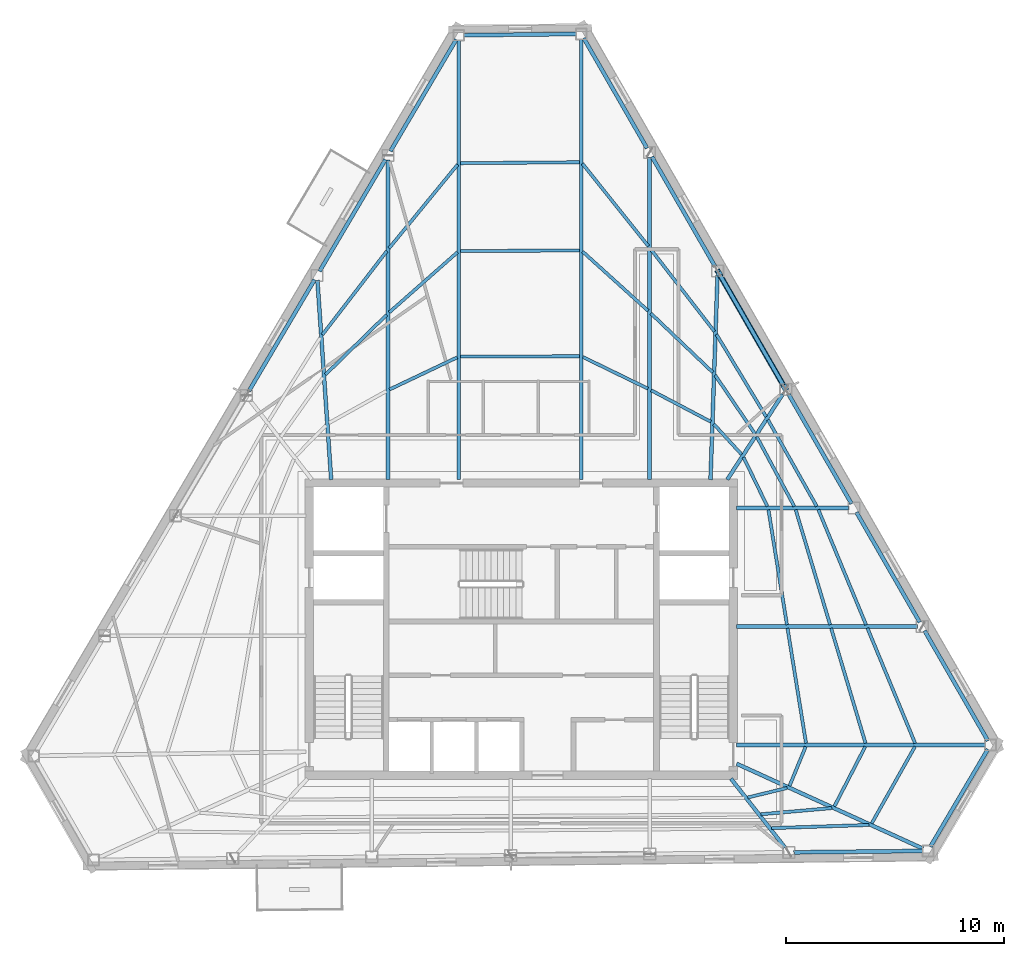
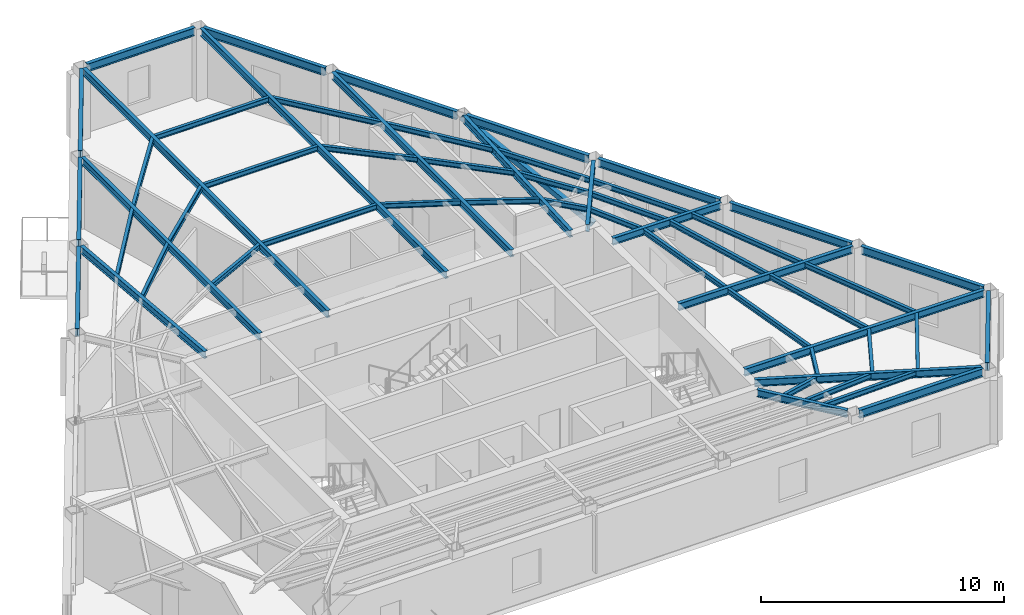
# One storey, part 2 of 11: 56 beams, 1 member.
"""IFC4 building model written with IfcOpenShell, lengths in metres."""

from ifc_helpers import new_model, si_unit, direction, frame, origin, origin_2d, place, context, subcontext, project, spatial, hollow_rectangle, i_section, extrude, material, material_profile, profile_set, type_object, element, save


model = new_model("IFC4")

# Units and contexts
model_context = context("Model", 3, precision=1e-05, world=origin(), true_north=direction((0.0, 1.0)))
body_context = subcontext(model_context, "Body", "Model", "MODEL_VIEW")
ifc_project = project(units=[si_unit("LENGTHUNIT", "METRE"), si_unit("AREAUNIT", "SQUARE_METRE"), si_unit("VOLUMEUNIT", "CUBIC_METRE"), si_unit("PLANEANGLEUNIT", "RADIAN"), si_unit("MASSUNIT", "GRAM", prefix="KILO")], contexts=[model_context])

# Site, building, storey
site_placement = place(None, origin())
site = spatial("IfcSite", under=ifc_project, at=site_placement, CompositionType="ELEMENT")
building_placement = place(site_placement, origin())
building = spatial("IfcBuilding", under=site, at=building_placement, Name="Kavelnor Concourse Tower", CompositionType="ELEMENT")
storey_placement = place(building_placement, frame((0.0, 0.0, 285.699951171875)))
storey = spatial("IfcBuildingStorey", under=building, at=storey_placement, Name="L72", CompositionType="ELEMENT", Elevation=285.699951171875)

# Beams
ifc_material = material(Name="Steel Grade 350", Category="steel")
ifc_material_profile_1 = material_profile(ifc_material, i_section(OverallWidth=0.14599609375, OverallDepth=0.256103515625, WebThickness=0.00634765625, FlangeThickness=0.010986328125, at=origin_2d()), Name="250UB37")
ifc_profile_set_1 = profile_set([ifc_material_profile_1], Name="Steel Grade 350")
beam_type_1 = type_object("IfcBeamType", Name="BM-JOIST-250", PredefinedType="JOIST", material=ifc_profile_set_1)
beam_1_placement = place(storey_placement, frame((48.37158203125, 8.388916015625, 3.48193359375), z_axis=(0.971921363988, 0.235305890753, 0.0), x_axis=(-0.235305890753, 0.971921363988, 0.0)))
element("IfcBeam", 1, at=beam_1_placement, inside=storey, type_object=beam_type_1, Name="L72 Secondary Composite Joist 08-1", PredefinedType="JOIST", context=body_context, shape_type="SweptSolid", body=[
    extrude(i_section(OverallWidth=0.14599609375, OverallDepth=0.256103515625, WebThickness=0.00634765625, FlangeThickness=0.010986328125, at=origin_2d()), origin(), (0.0, 0.0, 1.0), 1.85302734375),
])
beam_2_placement = place(storey_placement, frame((48.966796875, 7.62060546875, 3.48193359375), z_axis=(0.996227664555, 0.086778110001, 0.0), x_axis=(-0.086778110001, 0.996227664555, 0.0)))
element("IfcBeam", 2, at=beam_2_placement, inside=storey, type_object=beam_type_1, Name="L72 Secondary Composite Joist 08-2", PredefinedType="JOIST", context=body_context, shape_type="SweptSolid", body=[
    extrude(i_section(OverallWidth=0.14599609375, OverallDepth=0.256103515625, WebThickness=0.00634765625, FlangeThickness=0.010986328125, at=origin_2d()), origin(), (0.0, 0.0, 1.0), 3.263427734375),
])
beam_3_placement = place(storey_placement, frame((49.46142578125, 6.986083984375, 3.48193359375), z_axis=(0.999475899533, 0.032371689054, 0.0), x_axis=(-0.032371689054, 0.999475899533, 0.0)))
element("IfcBeam", 3, at=beam_3_placement, inside=storey, type_object=beam_type_1, Name="L72 Secondary Composite Joist 08-3", PredefinedType="JOIST", context=body_context, shape_type="SweptSolid", body=[
    extrude(i_section(OverallWidth=0.14599609375, OverallDepth=0.256103515625, WebThickness=0.00634765625, FlangeThickness=0.010986328125, at=origin_2d()), origin(), (0.0, 0.0, 1.0), 4.46484375),
])
beam_4_placement = place(storey_placement, frame((50.283447265625, 8.920166015625, 3.48193359375), z_axis=(0.379680559512, 0.925117653452, 0.0), x_axis=(-0.925117653452, 0.379680559512, 0.0)))
element("IfcBeam", 4, at=beam_4_placement, inside=storey, type_object=beam_type_1, Name="L72 Secondary Composite Joist 09-1", PredefinedType="JOIST", context=body_context, shape_type="SweptSolid", body=[
    extrude(i_section(OverallWidth=0.14599609375, OverallDepth=0.256103515625, WebThickness=0.00634765625, FlangeThickness=0.010986328125, at=origin_2d()), origin(), (0.0, 0.0, 1.0), 1.941162109375),
])
beam_5_placement = place(storey_placement, frame((52.337158203125, 7.98388671875, 3.48193359375), z_axis=(0.458818674055, 0.888529923153, 0.0), x_axis=(-0.888529923153, 0.458818674055, 0.0)))
element("IfcBeam", 5, at=beam_5_placement, inside=storey, type_object=beam_type_1, Name="L72 Secondary Composite Joist 09-2", PredefinedType="JOIST", context=body_context, shape_type="SweptSolid", body=[
    extrude(i_section(OverallWidth=0.14599609375, OverallDepth=0.256103515625, WebThickness=0.00634765625, FlangeThickness=0.010986328125, at=origin_2d()), origin(), (0.0, 0.0, 1.0), 3.078125),
])
beam_6_placement = place(storey_placement, frame((54.0458984375, 7.204833984375, 3.48193359375), z_axis=(0.49085861129, 0.871239245972, 0.0), x_axis=(-0.871239245972, 0.49085861129, 0.0)))
element("IfcBeam", 6, at=beam_6_placement, inside=storey, type_object=beam_type_1, Name="L72 Secondary Composite Joist 09-3", PredefinedType="JOIST", context=body_context, shape_type="SweptSolid", body=[
    extrude(i_section(OverallWidth=0.14599609375, OverallDepth=0.256103515625, WebThickness=0.00634765625, FlangeThickness=0.010986328125, at=origin_2d()), origin(), (0.0, 0.0, 1.0), 4.03515625),
])
beam_7_placement = place(storey_placement, frame((51.03857421875, 10.872802734375, 3.48193359375), z_axis=(-0.159043878678, 0.987271515164, 0.0), x_axis=(-0.987271515164, -0.159043878678, 0.0)))
element("IfcBeam", 7, at=beam_7_placement, inside=storey, type_object=beam_type_1, Name="L72 Secondary Composite Joist 10-1", PredefinedType="JOIST", context=body_context, shape_type="SweptSolid", body=[
    extrude(i_section(OverallWidth=0.14599609375, OverallDepth=0.256103515625, WebThickness=0.00634765625, FlangeThickness=0.010986328125, at=origin_2d()), origin(), (0.0, 0.0, 1.0), 5.332763671875),
])
beam_8_placement = place(storey_placement, frame((53.763671875, 10.87060546875, 3.48193359375), z_axis=(-0.286565917677, 0.958060527747, 0.0), x_axis=(-0.958060527747, -0.286565917677, 0.0)))
element("IfcBeam", 8, at=beam_8_placement, inside=storey, type_object=beam_type_1, Name="L72 Secondary Composite Joist 10-2", PredefinedType="JOIST", context=body_context, shape_type="SweptSolid", body=[
    extrude(i_section(OverallWidth=0.14599609375, OverallDepth=0.256103515625, WebThickness=0.00634765625, FlangeThickness=0.010986328125, at=origin_2d()), origin(), (0.0, 0.0, 1.0), 5.500244140625),
])
beam_9_placement = place(storey_placement, frame((56.035400390625, 10.86767578125, 3.48193359375), z_axis=(-0.382650130646, 0.923893325832, 0.0), x_axis=(-0.923893325832, -0.382650130646, 0.0)))
element("IfcBeam", 9, at=beam_9_placement, inside=storey, type_object=beam_type_1, Name="L72 Secondary Composite Joist 10-3", PredefinedType="JOIST", context=body_context, shape_type="SweptSolid", body=[
    extrude(i_section(OverallWidth=0.14599609375, OverallDepth=0.256103515625, WebThickness=0.00634765625, FlangeThickness=0.010986328125, at=origin_2d()), origin(), (0.0, 0.0, 1.0), 5.709716796875),
])
beam_10_placement = place(storey_placement, frame((50.164306640625, 16.2998046875, 3.48193359375), z_axis=(-0.158999255026, 0.987278702749, 0.0), x_axis=(-0.987278702749, -0.158999255026, 0.0)))
element("IfcBeam", 10, at=beam_10_placement, inside=storey, type_object=beam_type_1, Name="L72 Secondary Composite Joist 11-1", PredefinedType="JOIST", context=body_context, shape_type="SweptSolid", body=[
    extrude(i_section(OverallWidth=0.14599609375, OverallDepth=0.256103515625, WebThickness=0.00634765625, FlangeThickness=0.010986328125, at=origin_2d()), origin(), (0.0, 0.0, 1.0), 5.332763671875),
])
beam_11_placement = place(storey_placement, frame((52.140380859375, 16.29736328125, 3.48193359375), z_axis=(-0.286606659328, 0.958048340549, 0.0), x_axis=(-0.958048340549, -0.286606659328, 0.0)))
element("IfcBeam", 11, at=beam_11_placement, inside=storey, type_object=beam_type_1, Name="L72 Secondary Composite Joist 11-2", PredefinedType="JOIST", context=body_context, shape_type="SweptSolid", body=[
    extrude(i_section(OverallWidth=0.14599609375, OverallDepth=0.256103515625, WebThickness=0.00634765625, FlangeThickness=0.010986328125, at=origin_2d()), origin(), (0.0, 0.0, 1.0), 5.500244140625),
])
beam_12_placement = place(storey_placement, frame((53.787841796875, 16.29443359375, 3.48193359375), z_axis=(-0.38267151102, 0.923884470404, 0.0), x_axis=(-0.923884470404, -0.38267151102, 0.0)))
element("IfcBeam", 12, at=beam_12_placement, inside=storey, type_object=beam_type_1, Name="L72 Secondary Composite Joist 11-3", PredefinedType="JOIST", context=body_context, shape_type="SweptSolid", body=[
    extrude(i_section(OverallWidth=0.14599609375, OverallDepth=0.256103515625, WebThickness=0.00634765625, FlangeThickness=0.010986328125, at=origin_2d()), origin(), (0.0, 0.0, 1.0), 5.7099609375),
])
beam_13_placement = place(storey_placement, frame((49.267578125, 21.71923828125, 3.48193359375), z_axis=(-0.437132281775, 0.89939722494, 0.0), x_axis=(-0.89939722494, -0.437132281775, 0.0)))
element("IfcBeam", 13, at=beam_13_placement, inside=storey, type_object=beam_type_1, Name="L72 Secondary Composite Joist 12-1", PredefinedType="JOIST", context=body_context, shape_type="SweptSolid", body=[
    extrude(i_section(OverallWidth=0.14599609375, OverallDepth=0.256103515625, WebThickness=0.00634765625, FlangeThickness=0.010986328125, at=origin_2d()), origin(), (0.0, 0.0, 1.0), 2.49658203125),
])
beam_14_placement = place(storey_placement, frame((50.501708984375, 21.7177734375, 3.48193359375), z_axis=(-0.473987096176, 0.880531789692, 0.0), x_axis=(-0.880531789692, -0.473987096176, 0.0)))
element("IfcBeam", 14, at=beam_14_placement, inside=storey, type_object=beam_type_1, Name="L72 Secondary Composite Joist 12-2", PredefinedType="JOIST", context=body_context, shape_type="SweptSolid", body=[
    extrude(i_section(OverallWidth=0.14599609375, OverallDepth=0.256103515625, WebThickness=0.00634765625, FlangeThickness=0.010986328125, at=origin_2d()), origin(), (0.0, 0.0, 1.0), 3.616455078125),
])
beam_15_placement = place(storey_placement, frame((51.53125, 21.717041015625, 3.48193359375), z_axis=(-0.491007143043, 0.871155546089, 0.0), x_axis=(-0.871155546089, -0.491007143043, 0.0)))
element("IfcBeam", 15, at=beam_15_placement, inside=storey, type_object=beam_type_1, Name="L72 Secondary Composite Joist 12-3", PredefinedType="JOIST", context=body_context, shape_type="SweptSolid", body=[
    extrude(i_section(OverallWidth=0.14599609375, OverallDepth=0.256103515625, WebThickness=0.00634765625, FlangeThickness=0.010986328125, at=origin_2d()), origin(), (0.0, 0.0, 1.0), 4.552001953125),
])
beam_16_placement = place(storey_placement, frame((48.0849609375, 24.098876953125, 3.48193359375), z_axis=(-0.675116595913, 0.737711042294, 0.0), x_axis=(-0.737711042294, -0.675116595913, 0.0)))
element("IfcBeam", 16, at=beam_16_placement, inside=storey, type_object=beam_type_1, Name="L72 Secondary Composite Joist 13-1", PredefinedType="JOIST", context=body_context, shape_type="SweptSolid", body=[
    extrude(i_section(OverallWidth=0.14599609375, OverallDepth=0.256103515625, WebThickness=0.00634765625, FlangeThickness=0.010986328125, at=origin_2d()), origin(), (0.0, 0.0, 1.0), 1.8916015625),
])
beam_17_placement = place(storey_placement, frame((48.70263671875, 25.0419921875, 3.48193359375), z_axis=(-0.562375790959, 0.826881774949, 0.0), x_axis=(-0.826881774949, -0.562375790959, 0.0)))
element("IfcBeam", 17, at=beam_17_placement, inside=storey, type_object=beam_type_1, Name="L72 Secondary Composite Joist 13-2", PredefinedType="JOIST", context=body_context, shape_type="SweptSolid", body=[
    extrude(i_section(OverallWidth=0.14599609375, OverallDepth=0.256103515625, WebThickness=0.00634765625, FlangeThickness=0.010986328125, at=origin_2d()), origin(), (0.0, 0.0, 1.0), 3.2490234375),
])
beam_18_placement = place(storey_placement, frame((49.213623046875, 25.82421875, 3.48193359375), z_axis=(-0.517118177952, 0.85591400855, 0.0), x_axis=(-0.85591400855, -0.517118177952, 0.0)))
element("IfcBeam", 18, at=beam_18_placement, inside=storey, type_object=beam_type_1, Name="L72 Secondary Composite Joist 13-3", PredefinedType="JOIST", context=body_context, shape_type="SweptSolid", body=[
    extrude(i_section(OverallWidth=0.14599609375, OverallDepth=0.256103515625, WebThickness=0.00634765625, FlangeThickness=0.010986328125, at=origin_2d()), origin(), (0.0, 0.0, 1.0), 4.404296875),
])
beam_19_placement = place(storey_placement, frame((46.679931640625, 25.59326171875, 3.48193359375), z_axis=(-0.88464601031, 0.466263269455, 0.0), x_axis=(-0.466263269455, -0.88464601031, 0.0)))
element("IfcBeam", 19, at=beam_19_placement, inside=storey, type_object=beam_type_1, Name="L72 Secondary Composite Joist 14-1", PredefinedType="JOIST", context=body_context, shape_type="SweptSolid", body=[
    extrude(i_section(OverallWidth=0.14599609375, OverallDepth=0.256103515625, WebThickness=0.00634765625, FlangeThickness=0.010986328125, at=origin_2d()), origin(), (0.0, 0.0, 1.0), 3.094970703125),
])
beam_20_placement = place(storey_placement, frame((46.770263671875, 27.85302734375, 3.48193359375), z_axis=(-0.723819883223, 0.689988968499, 0.0), x_axis=(-0.689988968499, -0.723819883223, 0.0)))
element("IfcBeam", 20, at=beam_20_placement, inside=storey, type_object=beam_type_1, Name="L72 Secondary Composite Joist 14-2", PredefinedType="JOIST", context=body_context, shape_type="SweptSolid", body=[
    extrude(i_section(OverallWidth=0.14599609375, OverallDepth=0.256103515625, WebThickness=0.00634765625, FlangeThickness=0.010986328125, at=origin_2d()), origin(), (0.0, 0.0, 1.0), 3.92578125),
])
beam_21_placement = place(storey_placement, frame((46.843505859375, 29.72900390625, 3.48193359375), z_axis=(-0.612074230093, 0.790800314148, 0.0), x_axis=(-0.790800314148, -0.612074230093, 0.0)))
element("IfcBeam", 21, at=beam_21_placement, inside=storey, type_object=beam_type_1, Name="L72 Secondary Composite Joist 14-3", PredefinedType="JOIST", context=body_context, shape_type="SweptSolid", body=[
    extrude(i_section(OverallWidth=0.14599609375, OverallDepth=0.256103515625, WebThickness=0.00634765625, FlangeThickness=0.010986328125, at=origin_2d()), origin(), (0.0, 0.0, 1.0), 4.77685546875),
])
beam_22_placement = place(storey_placement, frame((43.795654296875, 27.1103515625, 3.48193359375), z_axis=(-0.899144046822, 0.437652811102, 0.0), x_axis=(-0.437652811102, -0.899144046822, 0.0)))
element("IfcBeam", 22, at=beam_22_placement, inside=storey, type_object=beam_type_1, Name="L72 Secondary Composite Joist 15-1", PredefinedType="JOIST", context=body_context, shape_type="SweptSolid", body=[
    extrude(i_section(OverallWidth=0.14599609375, OverallDepth=0.256103515625, WebThickness=0.00634765625, FlangeThickness=0.010986328125, at=origin_2d()), origin(), (0.0, 0.0, 1.0), 3.30810546875),
])
beam_23_placement = place(storey_placement, frame((43.80859375, 30.67333984375, 3.48193359375), z_axis=(-0.741854618722, 0.670560753907, 0.0), x_axis=(-0.670560753907, -0.741854618722, 0.0)))
element("IfcBeam", 23, at=beam_23_placement, inside=storey, type_object=beam_type_1, Name="L72 Secondary Composite Joist 15-2", PredefinedType="JOIST", context=body_context, shape_type="SweptSolid", body=[
    extrude(i_section(OverallWidth=0.14599609375, OverallDepth=0.256103515625, WebThickness=0.00634765625, FlangeThickness=0.010986328125, at=origin_2d()), origin(), (0.0, 0.0, 1.0), 4.044189453125),
])
beam_24_placement = place(storey_placement, frame((43.818115234375, 33.6357421875, 3.48193359375), z_axis=(-0.624196348056, 0.781267508011, 0.0), x_axis=(-0.781267508011, -0.624196348056, 0.0)))
element("IfcBeam", 24, at=beam_24_placement, inside=storey, type_object=beam_type_1, Name="L72 Secondary Composite Joist 15-3", PredefinedType="JOIST", context=body_context, shape_type="SweptSolid", body=[
    extrude(i_section(OverallWidth=0.14599609375, OverallDepth=0.256103515625, WebThickness=0.00634765625, FlangeThickness=0.010986328125, at=origin_2d()), origin(), (0.0, 0.0, 1.0), 4.837158203125),
])
for number, where, z_axis, x_axis, name in (
    (25, (40.66552734375, 28.59375, 3.48193359375), (-0.999995356666, -0.003047400029, 0.0), (0.003047400029, -0.999995356666, 0.0), "L72 Secondary Composite Joist 16-1"),
    (26, (40.66552734375, 33.439697265625, 3.48193359375), (-0.999983803841, -0.005691401949, 0.0), (0.005691401949, -0.999983803841, 0.0), "L72 Secondary Composite Joist 16-2"),
):
    element("IfcBeam", number, at=place(storey_placement, frame(where, z_axis=z_axis, x_axis=x_axis)), inside=storey, type_object=beam_type_1, Name=name, PredefinedType="JOIST", context=body_context, shape_type="SweptSolid", body=[
        extrude(i_section(OverallWidth=0.14599609375, OverallDepth=0.256103515625, WebThickness=0.00634765625, FlangeThickness=0.010986328125, at=origin_2d()), origin(), (0.0, 0.0, 1.0), 5.44775390625),
    ])
beam_25_placement = place(storey_placement, frame((40.66552734375, 37.478271484375, 3.48193359375), z_axis=(-0.999968895715, -0.007887179602, 0.0), x_axis=(0.007887179602, -0.999968895715, 0.0)))
element("IfcBeam", 27, at=beam_25_placement, inside=storey, type_object=beam_type_1, Name="L72 Secondary Composite Joist 16-3", PredefinedType="JOIST", context=body_context, shape_type="SweptSolid", body=[
    extrude(i_section(OverallWidth=0.14599609375, OverallDepth=0.256103515625, WebThickness=0.00634765625, FlangeThickness=0.010986328125, at=origin_2d()), origin(), (0.0, 0.0, 1.0), 5.447998046875),
])
beam_26_placement = place(storey_placement, frame((35.0615234375, 28.541748046875, 3.48193359375), z_axis=(-0.903360319686, -0.428882423069, 0.0), x_axis=(0.428882423069, -0.903360319686, 0.0)))
element("IfcBeam", 28, at=beam_26_placement, inside=storey, type_object=beam_type_1, Name="L72 Secondary Composite Joist 17-1", PredefinedType="JOIST", context=body_context, shape_type="SweptSolid", body=[
    extrude(i_section(OverallWidth=0.14599609375, OverallDepth=0.256103515625, WebThickness=0.00634765625, FlangeThickness=0.010986328125, at=origin_2d()), origin(), (0.0, 0.0, 1.0), 3.4267578125),
])
beam_27_placement = place(storey_placement, frame((35.07421875, 33.354248046875, 3.48193359375), z_axis=(-0.750128885456, -0.661291656687, 0.0), x_axis=(0.661291656687, -0.750128885456, 0.0)))
element("IfcBeam", 29, at=beam_27_placement, inside=storey, type_object=beam_type_1, Name="L72 Secondary Composite Joist 17-2", PredefinedType="JOIST", context=body_context, shape_type="SweptSolid", body=[
    extrude(i_section(OverallWidth=0.14599609375, OverallDepth=0.256103515625, WebThickness=0.00634765625, FlangeThickness=0.010986328125, at=origin_2d()), origin(), (0.0, 0.0, 1.0), 4.16064453125),
])
beam_28_placement = place(storey_placement, frame((35.083740234375, 37.371337890625, 3.48193359375), z_axis=(-0.633750140075, -0.773537820637, 0.0), x_axis=(0.773537820637, -0.633750140075, 0.0)))
element("IfcBeam", 30, at=beam_28_placement, inside=storey, type_object=beam_type_1, Name="L72 Secondary Composite Joist 17-3", PredefinedType="JOIST", context=body_context, shape_type="SweptSolid", body=[
    extrude(i_section(OverallWidth=0.14599609375, OverallDepth=0.256103515625, WebThickness=0.00634765625, FlangeThickness=0.010986328125, at=origin_2d()), origin(), (0.0, 0.0, 1.0), 4.954833984375),
])
beam_29_placement = place(storey_placement, frame((31.8330078125, 30.491455078125, 3.48193359375), z_axis=(-0.715142002204, -0.698979196174, 0.0), x_axis=(0.698979196174, -0.715142002204, 0.0)))
element("IfcBeam", 31, at=beam_29_placement, inside=storey, type_object=beam_type_1, Name="L72 Secondary Composite Joist 18-2", PredefinedType="JOIST", context=body_context, shape_type="SweptSolid", body=[
    extrude(i_section(OverallWidth=0.14599609375, OverallDepth=0.256103515625, WebThickness=0.00634765625, FlangeThickness=0.010986328125, at=origin_2d()), origin(), (0.0, 0.0, 1.0), 3.92724609375),
])
beam_30_placement = place(storey_placement, frame((31.841552734375, 33.41015625, 3.48193359375), z_axis=(-0.610505880939, -0.792011722981, 0.0), x_axis=(0.792011722981, -0.610505880939, 0.0)))
element("IfcBeam", 32, at=beam_30_placement, inside=storey, type_object=beam_type_1, Name="L72 Secondary Composite Joist 18-3", PredefinedType="JOIST", context=body_context, shape_type="SweptSolid", body=[
    extrude(i_section(OverallWidth=0.14599609375, OverallDepth=0.256103515625, WebThickness=0.00634765625, FlangeThickness=0.010986328125, at=origin_2d()), origin(), (0.0, 0.0, 1.0), 4.835693359375),
])
ifc_material_profile_2 = material_profile(ifc_material, i_section(OverallWidth=0.172119140625, OverallDepth=0.35888671875, WebThickness=0.008056640625, FlangeThickness=0.012939453125, at=origin_2d()), Name="360UB56")
ifc_profile_set_2 = profile_set([ifc_material_profile_2], Name="Steel Grade 350")
beam_type_2 = type_object("IfcBeamType", Name="BM-PRIMARY-360", PredefinedType="BEAM", material=ifc_profile_set_2)
beam_31_placement = place(storey_placement, frame((35.1357421875, 22.93994140625, 3.4306640625), z_axis=(0.0, 1.0, 0.0), x_axis=(-1.0, 0.0, 0.0)))
element("IfcBeam", 33, at=beam_31_placement, inside=storey, type_object=beam_type_2, Name="L72 Primary Floor Girder F0-B0", PredefinedType="BEAM", context=body_context, shape_type="SweptSolid", body=[
    extrude(i_section(OverallWidth=0.172119140625, OverallDepth=0.35888671875, WebThickness=0.008056640625, FlangeThickness=0.012939453125, at=origin_2d()), origin(), (0.0, 0.0, 1.0), 20.131591796875),
])
beam_32_placement = place(storey_placement, frame((31.8916015625, 22.93994140625, 3.4306640625), z_axis=(0.0, 1.0, 0.0), x_axis=(-1.0, 0.0, 0.0)))
element("IfcBeam", 34, at=beam_32_placement, inside=storey, type_object=beam_type_2, Name="L72 Primary Floor Girder F0-B1", PredefinedType="BEAM", context=body_context, shape_type="SweptSolid", body=[
    extrude(i_section(OverallWidth=0.172119140625, OverallDepth=0.35888671875, WebThickness=0.008056640625, FlangeThickness=0.012939453125, at=origin_2d()), origin(), (0.0, 0.0, 1.0), 14.632080078125),
])
beam_33_placement = place(storey_placement, frame((29.294189453125, 22.940185546875, 3.4306640625), z_axis=(-0.068995218801, 0.997616990524, 0.0), x_axis=(-0.997616990524, -0.068995218801, 0.0)))
element("IfcBeam", 35, at=beam_33_placement, inside=storey, type_object=beam_type_2, Name="L72 Primary Floor Girder F0-B2", PredefinedType="BEAM", context=body_context, shape_type="SweptSolid", body=[
    extrude(i_section(OverallWidth=0.172119140625, OverallDepth=0.35888671875, WebThickness=0.008056640625, FlangeThickness=0.012939453125, at=origin_2d()), origin(), (0.0, 0.0, 1.0), 9.154052734375),
])
beam_34_placement = place(storey_placement, frame((47.599609375, 9.25146484375, 3.4306640625), z_axis=(0.617358275774, -0.786682120893, 0.0), x_axis=(0.786682120893, 0.617358275774, 0.0)))
element("IfcBeam", 36, at=beam_34_placement, inside=storey, type_object=beam_type_2, Name="L72 Primary Floor Girder F1-B5", PredefinedType="BEAM", context=body_context, shape_type="SweptSolid", body=[
    extrude(i_section(OverallWidth=0.172119140625, OverallDepth=0.35888671875, WebThickness=0.008056640625, FlangeThickness=0.012939453125, at=origin_2d()), origin(), (0.0, 0.0, 1.0), 4.004150390625),
])
beam_35_placement = place(storey_placement, frame((47.863525390625, 9.93310546875, 3.4306640625), z_axis=(0.909921830591, -0.414779775561, 0.0), x_axis=(0.414779775561, 0.909921830591, 0.0)))
element("IfcBeam", 37, at=beam_35_placement, inside=storey, type_object=beam_type_2, Name="L72 Primary Floor Girder F1-B6", PredefinedType="BEAM", context=body_context, shape_type="SweptSolid", body=[
    extrude(i_section(OverallWidth=0.172119140625, OverallDepth=0.35888671875, WebThickness=0.008056640625, FlangeThickness=0.012939453125, at=origin_2d()), origin(), (0.0, 0.0, 1.0), 9.375244140625),
])
beam_36_placement = place(storey_placement, frame((47.860107421875, 10.7919921875, 3.4306640625), z_axis=(1.0, 0.0, 0.0), x_axis=(0.0, 1.0, 0.0)))
element("IfcBeam", 38, at=beam_36_placement, inside=storey, type_object=beam_type_2, Name="L72 Primary Floor Girder F2-B0", PredefinedType="BEAM", context=body_context, shape_type="SweptSolid", body=[
    extrude(i_section(OverallWidth=0.172119140625, OverallDepth=0.35888671875, WebThickness=0.008056640625, FlangeThickness=0.012939453125, at=origin_2d()), origin(), (0.0, 0.0, 1.0), 11.3984375),
])
beam_37_placement = place(storey_placement, frame((47.860107421875, 16.21875, 3.4306640625), z_axis=(1.0, 0.0, 0.0), x_axis=(0.0, 1.0, 0.0)))
element("IfcBeam", 39, at=beam_37_placement, inside=storey, type_object=beam_type_2, Name="L72 Primary Floor Girder F2-B1", PredefinedType="BEAM", context=body_context, shape_type="SweptSolid", body=[
    extrude(i_section(OverallWidth=0.172119140625, OverallDepth=0.35888671875, WebThickness=0.008056640625, FlangeThickness=0.012939453125, at=origin_2d()), origin(), (0.0, 0.0, 1.0), 8.276611328125),
])
beam_38_placement = place(storey_placement, frame((47.860107421875, 21.6455078125, 3.4306640625), z_axis=(1.0, 0.0, 0.0), x_axis=(0.0, 1.0, 0.0)))
element("IfcBeam", 40, at=beam_38_placement, inside=storey, type_object=beam_type_2, Name="L72 Primary Floor Girder F2-B2", PredefinedType="BEAM", context=body_context, shape_type="SweptSolid", body=[
    extrude(i_section(OverallWidth=0.172119140625, OverallDepth=0.35888671875, WebThickness=0.008056640625, FlangeThickness=0.012939453125, at=origin_2d()), origin(), (0.0, 0.0, 1.0), 5.15478515625),
])
beam_39_placement = place(storey_placement, frame((47.430419921875, 22.946533203125, 3.4306640625), z_axis=(0.545106424146, 0.838366856665, 0.0), x_axis=(-0.838366856665, 0.545106424146, 0.0)))
element("IfcBeam", 41, at=beam_39_placement, inside=storey, type_object=beam_type_2, Name="L72 Primary Floor Girder F2-B3", PredefinedType="BEAM", context=body_context, shape_type="SweptSolid", body=[
    extrude(i_section(OverallWidth=0.172119140625, OverallDepth=0.35888671875, WebThickness=0.008056640625, FlangeThickness=0.012939453125, at=origin_2d()), origin(), (0.0, 0.0, 1.0), 4.651123046875),
])
beam_40_placement = place(storey_placement, frame((46.66259765625, 22.93994140625, 3.4306640625), z_axis=(0.03435519781, 0.999409685956, 0.0), x_axis=(-0.999409685956, 0.03435519781, 0.0)))
element("IfcBeam", 42, at=beam_40_placement, inside=storey, type_object=beam_type_2, Name="L72 Primary Floor Girder F2-B4", PredefinedType="BEAM", context=body_context, shape_type="SweptSolid", body=[
    extrude(i_section(OverallWidth=0.172119140625, OverallDepth=0.35888671875, WebThickness=0.008056640625, FlangeThickness=0.012939453125, at=origin_2d()), origin(), (0.0, 0.0, 1.0), 9.344970703125),
])
beam_41_placement = place(storey_placement, frame((43.869384765625, 22.93994140625, 3.4306640625), z_axis=(0.0, 1.0, 0.0), x_axis=(-1.0, 0.0, 0.0)))
element("IfcBeam", 43, at=beam_41_placement, inside=storey, type_object=beam_type_2, Name="L72 Primary Floor Girder F2-B5", PredefinedType="BEAM", context=body_context, shape_type="SweptSolid", body=[
    extrude(i_section(OverallWidth=0.172119140625, OverallDepth=0.35888671875, WebThickness=0.008056640625, FlangeThickness=0.012939453125, at=origin_2d()), origin(), (0.0, 0.0, 1.0), 14.76611328125),
])
beam_42_placement = place(storey_placement, frame((40.74755859375, 22.93994140625, 3.4306640625), z_axis=(0.0, 1.0, 0.0), x_axis=(-1.0, 0.0, 0.0)))
element("IfcBeam", 44, at=beam_42_placement, inside=storey, type_object=beam_type_2, Name="L72 Primary Floor Girder F2-B6", PredefinedType="BEAM", context=body_context, shape_type="SweptSolid", body=[
    extrude(i_section(OverallWidth=0.172119140625, OverallDepth=0.35888671875, WebThickness=0.008056640625, FlangeThickness=0.012939453125, at=origin_2d()), origin(), (0.0, 0.0, 1.0), 20.19287109375),
])
ifc_material_profile_3 = material_profile(ifc_material, i_section(OverallWidth=0.177978515625, OverallDepth=0.406005859375, WebThickness=0.0078125, FlangeThickness=0.0126953125, at=origin_2d()), Name="410UB59")
ifc_profile_set_3 = profile_set([ifc_material_profile_3], Name="Steel Grade 350")
beam_type_3 = type_object("IfcBeamType", Name="BM-SPANDREL-Z4", PredefinedType="SPANDREL", material=ifc_profile_set_3)
beam_43_placement = place(storey_placement, frame((35.021484375, 43.09765625, 3.406982421875), z_axis=(-0.508105531915, -0.861294820858, 0.0), x_axis=(0.861294820858, -0.508105531915, 0.0)))
element("IfcBeam", 45, at=beam_43_placement, inside=storey, type_object=beam_type_3, Name="L72 Perimeter Tube Spandrel Beam F0-B0", PredefinedType="SPANDREL", context=body_context, shape_type="SweptSolid", body=[
    extrude(i_section(OverallWidth=0.177978515625, OverallDepth=0.406005859375, WebThickness=0.0078125, FlangeThickness=0.0126953125, at=origin_2d()), origin(), (0.0, 0.0, 1.0), 5.93505859375),
])
beam_44_placement = place(storey_placement, frame((31.77734375, 37.598388671875, 3.406982421875), z_axis=(-0.508087530374, -0.861305440293, 0.0), x_axis=(0.861305440293, -0.508087530374, 0.0)))
element("IfcBeam", 46, at=beam_44_placement, inside=storey, type_object=beam_type_3, Name="L72 Perimeter Tube Spandrel Beam F0-B1", PredefinedType="SPANDREL", context=body_context, shape_type="SweptSolid", body=[
    extrude(i_section(OverallWidth=0.177978515625, OverallDepth=0.406005859375, WebThickness=0.0078125, FlangeThickness=0.0126953125, at=origin_2d()), origin(), (0.0, 0.0, 1.0), 5.935302734375),
])
beam_45_placement = place(storey_placement, frame((28.533203125, 32.098876953125, 3.406982421875), z_axis=(-0.508105531915, -0.861294820858, 0.0), x_axis=(0.861294820858, -0.508105531915, 0.0)))
element("IfcBeam", 47, at=beam_45_placement, inside=storey, type_object=beam_type_3, Name="L72 Perimeter Tube Spandrel Beam F0-B2", PredefinedType="SPANDREL", context=body_context, shape_type="SweptSolid", body=[
    extrude(i_section(OverallWidth=0.177978515625, OverallDepth=0.406005859375, WebThickness=0.0078125, FlangeThickness=0.0126953125, at=origin_2d()), origin(), (0.0, 0.0, 1.0), 5.93505859375),
])
beam_46_placement = place(storey_placement, frame((40.522705078125, 43.350341796875, 3.406982421875), z_axis=(-0.999940326599, -0.010924433194, 0.0), x_axis=(0.010924433194, -0.999940326599, 0.0)))
element("IfcBeam", 48, at=beam_46_placement, inside=storey, type_object=beam_type_3, Name="L72 Chamfer Facet Spandrel Beam C0", PredefinedType="SPANDREL", context=body_context, shape_type="SweptSolid", body=[
    extrude(i_section(OverallWidth=0.177978515625, OverallDepth=0.406005859375, WebThickness=0.0078125, FlangeThickness=0.0126953125, at=origin_2d()), origin(), (0.0, 0.0, 1.0), 5.162353515625),
])
beam_47_placement = place(storey_placement, frame((50.475830078125, 5.87548828125, 3.406982421875), z_axis=(0.9999402325, 0.010933042935, 0.0), x_axis=(-0.010933042935, 0.9999402325, 0.0)))
element("IfcBeam", 49, at=beam_47_placement, inside=storey, type_object=beam_type_3, Name="L72 Perimeter Tube Spandrel Beam F1-B5", PredefinedType="SPANDREL", context=body_context, shape_type="SweptSolid", body=[
    extrude(i_section(OverallWidth=0.177978515625, OverallDepth=0.406005859375, WebThickness=0.0078125, FlangeThickness=0.0126953125, at=origin_2d()), origin(), (0.0, 0.0, 1.0), 5.91748046875),
])
for number, where, z_axis, x_axis, name in (
    (50, (59.3662109375, 10.98681640625, 3.406982421875), (-0.498602948631, 0.866830490705, 0.0), (-0.866830490705, -0.498602948631, 0.0), "L72 Perimeter Tube Spandrel Beam F2-B0"),
    (51, (56.244384765625, 16.413818359375, 3.406982421875), (-0.498602948631, 0.866830490705, 0.0), (-0.866830490705, -0.498602948631, 0.0), "L72 Perimeter Tube Spandrel Beam F2-B1"),
    (52, (53.122802734375, 21.840576171875, 3.406982421875), (-0.498634518197, 0.866812331051, 0.0), (-0.866812331051, -0.498634518197, 0.0), "L72 Perimeter Tube Spandrel Beam F2-B2"),
    (53, (50.0009765625, 27.267333984375, 3.406982421875), (-0.498634518197, 0.866812331051, 0.0), (-0.866812331051, -0.498634518197, 0.0), "L72 Perimeter Tube Spandrel Beam F2-B3"),
    (54, (46.87890625, 32.694091796875, 3.406982421875), (-0.498584789723, 0.866840935499, 0.0), (-0.866840935499, -0.498584789723, 0.0), "L72 Perimeter Tube Spandrel Beam F2-B4"),
    (55, (43.757080078125, 38.12109375, 3.406982421875), (-0.498602948631, 0.866830490705, 0.0), (-0.866830490705, -0.498602948631, 0.0), "L72 Perimeter Tube Spandrel Beam F2-B5"),
):
    element("IfcBeam", number, at=place(storey_placement, frame(where, z_axis=z_axis, x_axis=x_axis)), inside=storey, type_object=beam_type_3, Name=name, PredefinedType="SPANDREL", context=body_context, shape_type="SweptSolid", body=[
        extrude(i_section(OverallWidth=0.177978515625, OverallDepth=0.406005859375, WebThickness=0.0078125, FlangeThickness=0.0126953125, at=origin_2d()), origin(), (0.0, 0.0, 1.0), 5.810791015625),
    ])
beam_48_placement = place(storey_placement, frame((56.732421875, 6.136474609375, 3.406982421875), z_axis=(0.508070197789, 0.861315664619, 0.0), x_axis=(-0.861315664619, 0.508070197789, 0.0)))
element("IfcBeam", 56, at=beam_48_placement, inside=storey, type_object=beam_type_3, Name="L72 Chamfer Facet Spandrel Beam C2", PredefinedType="SPANDREL", context=body_context, shape_type="SweptSolid", body=[
    extrude(i_section(OverallWidth=0.177978515625, OverallDepth=0.406005859375, WebThickness=0.0078125, FlangeThickness=0.0126953125, at=origin_2d()), origin(), (0.0, 0.0, 1.0), 5.18017578125),
])

# Member
ifc_material_profile_4 = material_profile(ifc_material, hollow_rectangle(XDim=0.25, YDim=0.25, WallThickness=0.01611328125, at=origin_2d()), Name="SHS 250x250x16")
ifc_profile_set_4 = profile_set([ifc_material_profile_4], Name="Steel Grade 350")
member_type = type_object("IfcMemberType", Name="MBR-TUBE-DIAG-Z4", PredefinedType="BRACE", material=ifc_profile_set_4)
member_placement = place(storey_placement, frame((50.113037109375, 27.072509765625, 0.219970703125), z_axis=(-0.444379433264, 0.77247720674, 0.453658334388), x_axis=(-0.866806862981, -0.498644023616, 0.0)))
element("IfcMember", 57, at=member_placement, inside=storey, type_object=member_type, Name="L72 Framed-Tube Bracing Diagonal F2-B3", PredefinedType="BRACE", context=body_context, shape_type="SweptSolid", body=[
    extrude(hollow_rectangle(XDim=0.25, YDim=0.25, WallThickness=0.01611328125, at=origin_2d()), origin(), (0.0, 0.0, 1.0), 7.025146484375),
])

save(model, "model.ifc")
